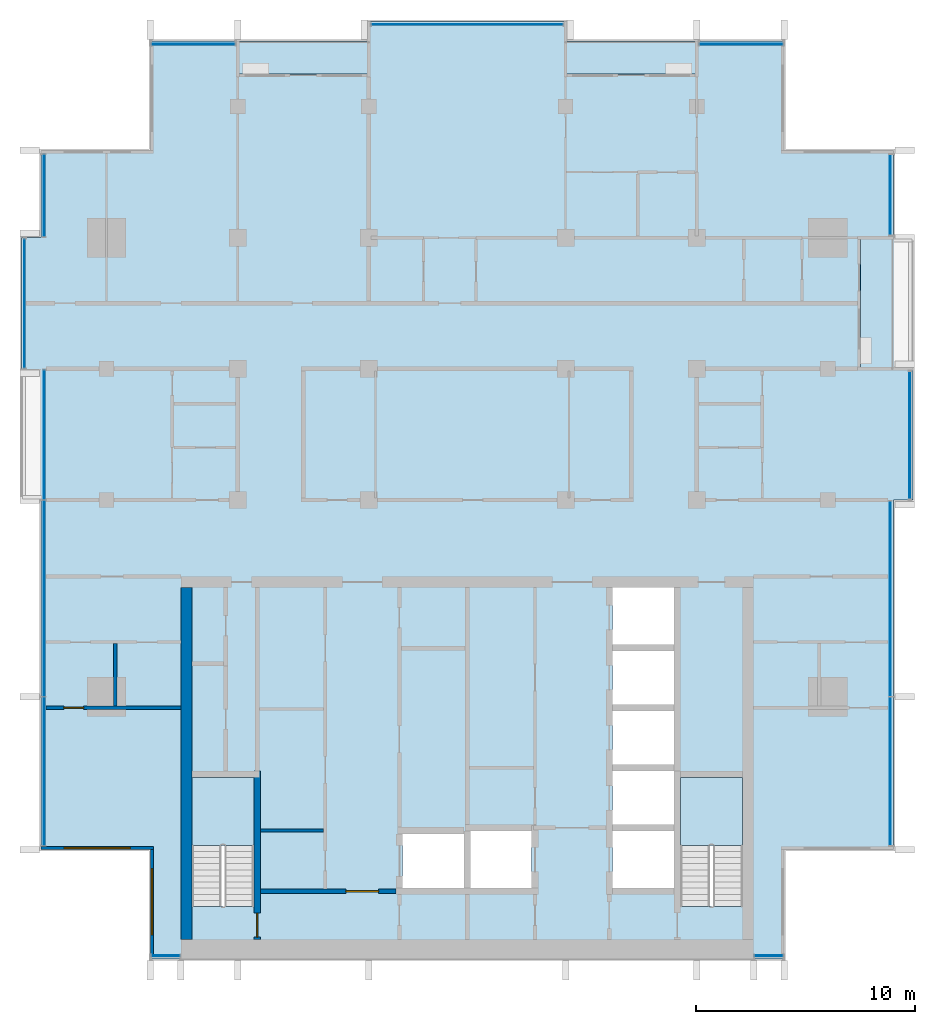
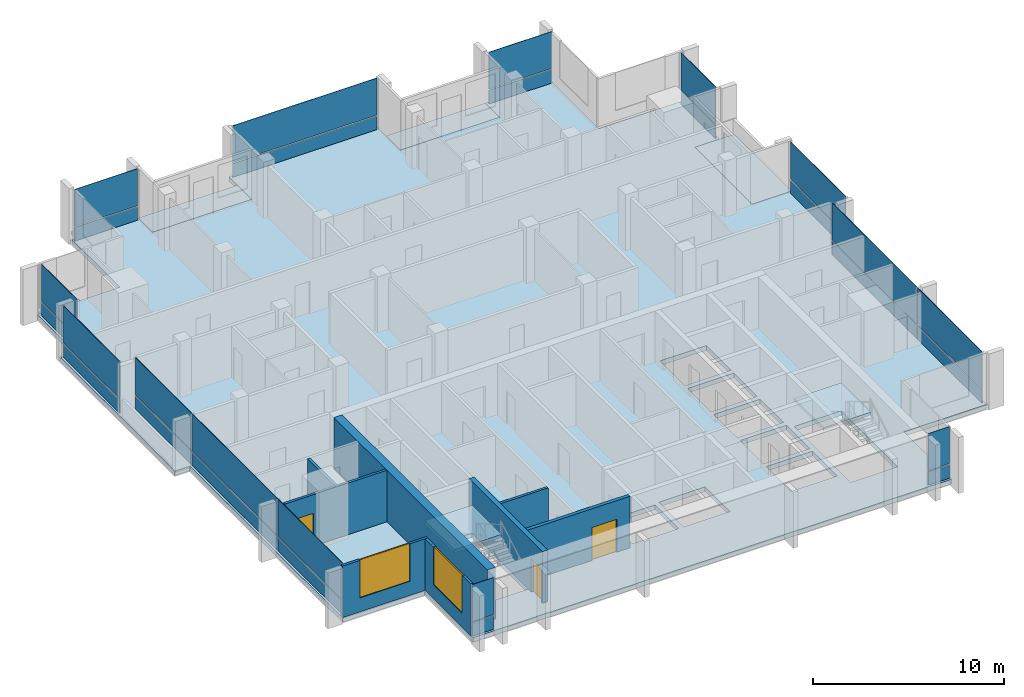
# One storey, part 6 of 16: 28 plates, 8 walls, 6 slabs, 3 doors, 2 windows, 5 openings, 13 elements without a shape of their own.
"""IFC4 building model written with IfcOpenShell, lengths in metres."""

from ifc_helpers import new_model, si_unit, direction, frame, frame_2d, origin, origin_2d, place, context, subcontext, project, spatial, polyline, rectangle, outline, extrude, material, layer, layer_set, type_object, element, fill, aggregate, save


model = new_model("IFC4")

# Units and contexts
model_context = context("Model", 3, precision=1e-05, world=origin(), true_north=direction((0.0, 1.0)))
body_context = subcontext(model_context, "Body", "Model", "MODEL_VIEW")
ifc_project = project(units=[si_unit("LENGTHUNIT", "METRE"), si_unit("AREAUNIT", "SQUARE_METRE"), si_unit("VOLUMEUNIT", "CUBIC_METRE"), si_unit("PLANEANGLEUNIT", "RADIAN"), si_unit("MASSUNIT", "GRAM", prefix="KILO")], contexts=[model_context])

# Site, building, storey
site_placement = place(None, origin())
site = spatial("IfcSite", under=ifc_project, at=site_placement, CompositionType="ELEMENT")
building_placement = place(site_placement, origin())
building = spatial("IfcBuilding", under=site, at=building_placement, Name="Finial Court Residences", CompositionType="ELEMENT")
storey_placement = place(building_placement, frame((0.0, 0.0, 259.10009765625)))
storey = spatial("IfcBuildingStorey", under=building, at=storey_placement, Name="L65", CompositionType="ELEMENT", Elevation=259.10009765625)

# Slabs
ifc_material_1 = material(Name="Concrete C35/45", Category="concrete")
ifc_layer_1 = layer(ifc_material_1, 0.199951171875)
ifc_layer_set_1 = layer_set([ifc_layer_1], Name="Balcony slab, Concrete C35/45 200")
slab_type_1 = type_object("IfcSlabType", Name="Balcony slab, Concrete C35/45 200", PredefinedType="FLOOR", material=ifc_layer_set_1)
slab_1_placement = place(storey_placement, frame((0.0, 0.0, -0.2001953125)))
element("IfcSlab", 1, at=slab_1_placement, inside=storey, type_object=slab_type_1, Name="Balcony L65-N2", PredefinedType="FLOOR", context=body_context, shape_type="SweptSolid", body=[
    extrude(outline(polyline([(-4.5, 15.0), (-4.5, 16.5), (-10.5, 16.5), (-10.5, 15.0), (-4.5, 15.0)])), origin(), (0.0, 0.0, 1.0), 0.2001953125),
])
slab_2_placement = place(storey_placement, frame((0.0, 0.0, -0.2001953125)))
element("IfcSlab", 2, at=slab_2_placement, inside=storey, type_object=slab_type_1, Name="Balcony L65-N4", PredefinedType="FLOOR", context=body_context, shape_type="SweptSolid", body=[
    extrude(outline(polyline([(10.5, 15.0), (10.5, 16.5), (4.5, 16.5), (4.5, 15.0), (10.5, 15.0)])), origin(), (0.0, 0.0, 1.0), 0.2001953125),
])
slab_3_placement = place(storey_placement, frame((0.0, 0.0, -0.2001953125)))
element("IfcSlab", 3, at=slab_3_placement, inside=storey, type_object=slab_type_1, Name="Balcony L65-E4", PredefinedType="FLOOR", context=body_context, shape_type="SweptSolid", body=[
    extrude(outline(polyline([(18.0, 7.5), (19.5, 7.5), (20.39990234375, 7.5), (20.39990234375, 1.5), (19.5, 1.5), (18.0, 1.5), (18.0, 7.5)])), origin(), (0.0, 0.0, 1.0), 0.2001953125),
])

# Curtain wall, plate
ifc_material_2 = material(Name="Bronze anodised aluminium", Category="aluminium")
curtain_wall_type = type_object("IfcCurtainWallType", Name="Unitised curtain wall, upper zones", PredefinedType="NOTDEFINED", material=ifc_material_2)
curtain_wall_1_placement = place(storey_placement, origin())
curtain_wall_1 = element("IfcCurtainWall", 4, at=curtain_wall_1_placement, inside=storey, type_object=curtain_wall_type, Name="E-L65-CW-N1", PredefinedType="NOTDEFINED")
ifc_layer_2 = layer(ifc_material_2, 0.035888671875)
ifc_layer_set_2 = layer_set([ifc_layer_2], Name="CW2 spandrel panel 36")
plate_type_1 = type_object("IfcPlateType", Name="CW2 spandrel panel 36", PredefinedType="CURTAIN_PANEL", material=ifc_layer_set_2)
plate_1_placement = place(storey_placement, frame((-12.53759765625, 16.35009765625, -0.000244140625), z_axis=(0.0, 0.0, 1.0), x_axis=(1.0, 0.0, 0.0)))
plate_1 = element("IfcPlate", 5, at=plate_1_placement, type_object=plate_type_1, Name="CW2 spandrel 1.1", PredefinedType="CURTAIN_PANEL", context=body_context, shape_type="SweptSolid", body=[
    extrude(rectangle(XDim=3.804931640625, YDim=0.035888671875, at=origin_2d()), origin(), (0.0, 0.0, 1.0), 0.8701171875),
])

curtain_wall_2_placement = place(storey_placement, origin())
curtain_wall_2 = element("IfcCurtainWall", 6, at=curtain_wall_2_placement, inside=storey, type_object=curtain_wall_type, Name="E-L65-CW-N2", PredefinedType="NOTDEFINED")
plate_2_placement = place(storey_placement, frame((0.0, 17.25, -0.000244140625), z_axis=(0.0, 0.0, 1.0), x_axis=(1.0, 0.0, 0.0)))
plate_2 = element("IfcPlate", 7, at=plate_2_placement, type_object=plate_type_1, Name="CW2 spandrel 1.1", PredefinedType="CURTAIN_PANEL", context=body_context, shape_type="SweptSolid", body=[
    extrude(rectangle(XDim=8.72998046875, YDim=0.035888671875, at=origin_2d()), origin(), (0.0, 0.0, 1.0), 0.8701171875),
])

curtain_wall_3_placement = place(storey_placement, origin())
curtain_wall_3 = element("IfcCurtainWall", 8, at=curtain_wall_3_placement, inside=storey, type_object=curtain_wall_type, Name="E-L65-CW-N3", PredefinedType="NOTDEFINED")
plate_3_placement = place(storey_placement, frame((12.53759765625, 16.35009765625, -0.000244140625), z_axis=(0.0, 0.0, 1.0), x_axis=(1.0, 0.0, 0.0)))
plate_3 = element("IfcPlate", 9, at=plate_3_placement, type_object=plate_type_1, Name="CW2 spandrel 1.1", PredefinedType="CURTAIN_PANEL", context=body_context, shape_type="SweptSolid", body=[
    extrude(rectangle(XDim=3.804931640625, YDim=0.035888671875, at=origin_2d()), origin(), (0.0, 0.0, 1.0), 0.8701171875),
])

# Curtain wall, plates
curtain_wall_4_placement = place(storey_placement, origin())
curtain_wall_4 = element("IfcCurtainWall", 10, at=curtain_wall_4_placement, inside=storey, type_object=curtain_wall_type, Name="E-L65-CW-E4", PredefinedType="NOTDEFINED")
plate_4_placement = place(storey_placement, frame((19.35009765625, -16.909912109375, -0.000244140625), z_axis=(0.0, 0.0, 1.0), x_axis=(0.0, 1.0, 0.0)))
plate_4 = element("IfcPlate", 11, at=plate_4_placement, type_object=plate_type_1, Name="CW2 spandrel 1.1", PredefinedType="CURTAIN_PANEL", context=body_context, shape_type="SweptSolid", body=[
    extrude(rectangle(XDim=6.760009765625, YDim=0.035888671875, at=origin_2d()), origin(), (0.0, 0.0, 1.0), 0.8701171875),
])
plate_5_placement = place(storey_placement, frame((19.35009765625, -9.014892578125, -0.000244140625), z_axis=(0.0, 0.0, 1.0), x_axis=(0.0, 1.0, 0.0)))
plate_5 = element("IfcPlate", 12, at=plate_5_placement, type_object=plate_type_1, Name="CW2 spandrel 2.1", PredefinedType="CURTAIN_PANEL", context=body_context, shape_type="SweptSolid", body=[
    extrude(rectangle(XDim=8.909912109375, YDim=0.035888671875, at=origin_2d()), origin(), (0.0, 0.0, 1.0), 0.8701171875),
])

# Curtain wall, plate
curtain_wall_5_placement = place(storey_placement, origin())
curtain_wall_5 = element("IfcCurtainWall", 13, at=curtain_wall_5_placement, inside=storey, type_object=curtain_wall_type, Name="E-L65-CW-E5", PredefinedType="NOTDEFINED")
plate_6_placement = place(storey_placement, frame((20.25, -1.53759765625, -0.000244140625), z_axis=(0.0, 0.0, 1.0), x_axis=(0.0, 1.0, 0.0)))
plate_6 = element("IfcPlate", 14, at=plate_6_placement, type_object=plate_type_1, Name="CW2 spandrel 1.1", PredefinedType="CURTAIN_PANEL", context=body_context, shape_type="SweptSolid", body=[
    extrude(rectangle(XDim=5.804931640625, YDim=0.035888671875, at=origin_2d()), origin(), (0.0, 0.0, 1.0), 0.8701171875),
])

curtain_wall_6_placement = place(storey_placement, origin())
curtain_wall_6 = element("IfcCurtainWall", 15, at=curtain_wall_6_placement, inside=storey, type_object=curtain_wall_type, Name="E-L65-CW-E6", PredefinedType="NOTDEFINED")
plate_7_placement = place(storey_placement, frame((19.35009765625, 9.46240234375, -0.000244140625), z_axis=(0.0, 0.0, 1.0), x_axis=(0.0, 1.0, 0.0)))
plate_7 = element("IfcPlate", 16, at=plate_7_placement, type_object=plate_type_1, Name="CW2 spandrel 1.1", PredefinedType="CURTAIN_PANEL", context=body_context, shape_type="SweptSolid", body=[
    extrude(rectangle(XDim=3.655029296875, YDim=0.035888671875, at=origin_2d()), origin(), (0.0, 0.0, 1.0), 0.8701171875),
])

curtain_wall_7_placement = place(storey_placement, origin())
curtain_wall_7 = element("IfcCurtainWall", 17, at=curtain_wall_7_placement, inside=storey, type_object=curtain_wall_type, Name="E-L65-CW-S7", PredefinedType="NOTDEFINED")
plate_8_placement = place(storey_placement, frame((-13.800048828125, -25.35009765625, -0.000244140625), z_axis=(0.0, 0.0, 1.0), x_axis=(1.0, 0.0, 0.0)))
plate_8 = element("IfcPlate", 18, at=plate_8_placement, type_object=plate_type_1, Name="CW2 spandrel 1.1", PredefinedType="CURTAIN_PANEL", context=body_context, shape_type="SweptSolid", body=[
    extrude(rectangle(XDim=1.280029296875, YDim=0.035888671875, at=origin_2d()), origin(), (0.0, 0.0, 1.0), 0.8701171875),
])

curtain_wall_8_placement = place(storey_placement, origin())
curtain_wall_8 = element("IfcCurtainWall", 19, at=curtain_wall_8_placement, inside=storey, type_object=curtain_wall_type, Name="E-L65-CW-S8", PredefinedType="NOTDEFINED")
plate_9_placement = place(storey_placement, frame((13.800048828125, -25.35009765625, -0.000244140625), z_axis=(0.0, 0.0, 1.0), x_axis=(1.0, 0.0, 0.0)))
plate_9 = element("IfcPlate", 20, at=plate_9_placement, type_object=plate_type_1, Name="CW2 spandrel 1.1", PredefinedType="CURTAIN_PANEL", context=body_context, shape_type="SweptSolid", body=[
    extrude(rectangle(XDim=1.280029296875, YDim=0.035888671875, at=origin_2d()), origin(), (0.0, 0.0, 1.0), 0.8701171875),
])

# Curtain wall, plates
curtain_wall_9_placement = place(storey_placement, origin())
curtain_wall_9 = element("IfcCurtainWall", 21, at=curtain_wall_9_placement, inside=storey, type_object=curtain_wall_type, Name="E-L65-CW-W9", PredefinedType="NOTDEFINED")
plate_10_placement = place(storey_placement, frame((-19.35009765625, -16.909912109375, -0.000244140625), z_axis=(0.0, 0.0, 1.0), x_axis=(0.0, 1.0, 0.0)))
plate_10 = element("IfcPlate", 22, at=plate_10_placement, type_object=plate_type_1, Name="CW2 spandrel 1.1", PredefinedType="CURTAIN_PANEL", context=body_context, shape_type="SweptSolid", body=[
    extrude(rectangle(XDim=6.760009765625, YDim=0.035888671875, at=origin_2d()), origin(), (0.0, 0.0, 1.0), 0.8701171875),
])
plate_11_placement = place(storey_placement, frame((-19.35009765625, -9.0, -0.000244140625), z_axis=(0.0, 0.0, 1.0), x_axis=(0.0, 1.0, 0.0)))
plate_11 = element("IfcPlate", 23, at=plate_11_placement, type_object=plate_type_1, Name="CW2 spandrel 2.1", PredefinedType="CURTAIN_PANEL", context=body_context, shape_type="SweptSolid", body=[
    extrude(rectangle(XDim=8.93994140625, YDim=0.035888671875, at=origin_2d()), origin(), (0.0, 0.0, 1.0), 0.8701171875),
])
plate_12_placement = place(storey_placement, frame((-19.35009765625, -1.514892578125, -0.000244140625), z_axis=(0.0, 0.0, 1.0), x_axis=(0.0, 1.0, 0.0)))
plate_12 = element("IfcPlate", 24, at=plate_12_placement, type_object=plate_type_1, Name="CW2 spandrel 3.1", PredefinedType="CURTAIN_PANEL", context=body_context, shape_type="SweptSolid", body=[
    extrude(rectangle(XDim=5.909912109375, YDim=0.035888671875, at=origin_2d()), origin(), (0.0, 0.0, 1.0), 0.8701171875),
])

# Curtain wall, plate
curtain_wall_10_placement = place(storey_placement, origin())
curtain_wall_10 = element("IfcCurtainWall", 25, at=curtain_wall_10_placement, inside=storey, type_object=curtain_wall_type, Name="E-L65-CW-W10", PredefinedType="NOTDEFINED")
plate_13_placement = place(storey_placement, frame((-20.25, 4.5, -0.000244140625), z_axis=(0.0, 0.0, 1.0), x_axis=(0.0, 1.0, 0.0)))
plate_13 = element("IfcPlate", 26, at=plate_13_placement, type_object=plate_type_1, Name="CW2 spandrel 1.1", PredefinedType="CURTAIN_PANEL", context=body_context, shape_type="SweptSolid", body=[
    extrude(rectangle(XDim=5.8798828125, YDim=0.035888671875, at=origin_2d()), origin(), (0.0, 0.0, 1.0), 0.8701171875),
])

curtain_wall_11_placement = place(storey_placement, origin())
curtain_wall_11 = element("IfcCurtainWall", 27, at=curtain_wall_11_placement, inside=storey, type_object=curtain_wall_type, Name="E-L65-CW-W11", PredefinedType="NOTDEFINED")
plate_14_placement = place(storey_placement, frame((-19.35009765625, 9.425048828125, -0.000244140625), z_axis=(0.0, 0.0, 1.0), x_axis=(0.0, 1.0, 0.0)))
plate_14 = element("IfcPlate", 28, at=plate_14_placement, type_object=plate_type_1, Name="CW2 spandrel 1.1", PredefinedType="CURTAIN_PANEL", context=body_context, shape_type="SweptSolid", body=[
    extrude(rectangle(XDim=3.72998046875, YDim=0.035888671875, at=origin_2d()), origin(), (0.0, 0.0, 1.0), 0.8701171875),
])

# Plate
ifc_material_3 = material(Name="Clear low-e glass", Category="glass")
ifc_layer_3 = layer(ifc_material_3, 0.030029296875)
ifc_layer_set_3 = layer_set([ifc_layer_3], Name="CW2 vision glass 30")
plate_type_2 = type_object("IfcPlateType", Name="CW2 vision glass 30", PredefinedType="CURTAIN_PANEL", material=ifc_layer_set_3)
plate_15_placement = place(storey_placement, frame((-12.53759765625, 16.35009765625, 0.929931640625), z_axis=(0.0, 0.0, 1.0), x_axis=(1.0, 0.0, 0.0)))
plate_15 = element("IfcPlate", 29, at=plate_15_placement, type_object=plate_type_2, Name="CW2 glass 1.2", PredefinedType="CURTAIN_PANEL", context=body_context, shape_type="SweptSolid", body=[
    extrude(rectangle(XDim=3.804931640625, YDim=0.030029296875, at=origin_2d()), origin(), (0.0, 0.0, 1.0), 2.3701171875),
])

aggregate(curtain_wall_1, [plate_1, plate_15])

plate_16_placement = place(storey_placement, frame((0.0, 17.25, 0.929931640625), z_axis=(0.0, 0.0, 1.0), x_axis=(1.0, 0.0, 0.0)))
plate_16 = element("IfcPlate", 30, at=plate_16_placement, type_object=plate_type_2, Name="CW2 glass 1.2", PredefinedType="CURTAIN_PANEL", context=body_context, shape_type="SweptSolid", body=[
    extrude(rectangle(XDim=8.72998046875, YDim=0.030029296875, at=origin_2d()), origin(), (0.0, 0.0, 1.0), 2.3701171875),
])

aggregate(curtain_wall_2, [plate_2, plate_16])

plate_17_placement = place(storey_placement, frame((12.53759765625, 16.35009765625, 0.929931640625), z_axis=(0.0, 0.0, 1.0), x_axis=(1.0, 0.0, 0.0)))
plate_17 = element("IfcPlate", 31, at=plate_17_placement, type_object=plate_type_2, Name="CW2 glass 1.2", PredefinedType="CURTAIN_PANEL", context=body_context, shape_type="SweptSolid", body=[
    extrude(rectangle(XDim=3.804931640625, YDim=0.030029296875, at=origin_2d()), origin(), (0.0, 0.0, 1.0), 2.3701171875),
])

aggregate(curtain_wall_3, [plate_3, plate_17])

plate_18_placement = place(storey_placement, frame((19.35009765625, -16.909912109375, 0.929931640625), z_axis=(0.0, 0.0, 1.0), x_axis=(0.0, 1.0, 0.0)))
plate_18 = element("IfcPlate", 32, at=plate_18_placement, type_object=plate_type_2, Name="CW2 glass 1.2", PredefinedType="CURTAIN_PANEL", context=body_context, shape_type="SweptSolid", body=[
    extrude(rectangle(XDim=6.760009765625, YDim=0.030029296875, at=origin_2d()), origin(), (0.0, 0.0, 1.0), 2.3701171875),
])

plate_19_placement = place(storey_placement, frame((19.35009765625, -9.014892578125, 0.929931640625), z_axis=(0.0, 0.0, 1.0), x_axis=(0.0, 1.0, 0.0)))
plate_19 = element("IfcPlate", 33, at=plate_19_placement, type_object=plate_type_2, Name="CW2 glass 2.2", PredefinedType="CURTAIN_PANEL", context=body_context, shape_type="SweptSolid", body=[
    extrude(rectangle(XDim=8.909912109375, YDim=0.030029296875, at=origin_2d()), origin(), (0.0, 0.0, 1.0), 2.3701171875),
])

aggregate(curtain_wall_4, [plate_4, plate_18, plate_5, plate_19])

plate_20_placement = place(storey_placement, frame((20.25, -1.53759765625, 0.929931640625), z_axis=(0.0, 0.0, 1.0), x_axis=(0.0, 1.0, 0.0)))
plate_20 = element("IfcPlate", 34, at=plate_20_placement, type_object=plate_type_2, Name="CW2 glass 1.2", PredefinedType="CURTAIN_PANEL", context=body_context, shape_type="SweptSolid", body=[
    extrude(rectangle(XDim=5.804931640625, YDim=0.030029296875, at=origin_2d()), origin(), (0.0, 0.0, 1.0), 2.3701171875),
])

aggregate(curtain_wall_5, [plate_6, plate_20])

plate_21_placement = place(storey_placement, frame((19.35009765625, 9.46240234375, 0.929931640625), z_axis=(0.0, 0.0, 1.0), x_axis=(0.0, 1.0, 0.0)))
plate_21 = element("IfcPlate", 35, at=plate_21_placement, type_object=plate_type_2, Name="CW2 glass 1.2", PredefinedType="CURTAIN_PANEL", context=body_context, shape_type="SweptSolid", body=[
    extrude(rectangle(XDim=3.655029296875, YDim=0.030029296875, at=origin_2d()), origin(), (0.0, 0.0, 1.0), 2.3701171875),
])

aggregate(curtain_wall_6, [plate_7, plate_21])

plate_22_placement = place(storey_placement, frame((-13.800048828125, -25.35009765625, 0.929931640625), z_axis=(0.0, 0.0, 1.0), x_axis=(1.0, 0.0, 0.0)))
plate_22 = element("IfcPlate", 36, at=plate_22_placement, type_object=plate_type_2, Name="CW2 glass 1.2", PredefinedType="CURTAIN_PANEL", context=body_context, shape_type="SweptSolid", body=[
    extrude(rectangle(XDim=1.280029296875, YDim=0.030029296875, at=origin_2d()), origin(), (0.0, 0.0, 1.0), 2.3701171875),
])

aggregate(curtain_wall_7, [plate_8, plate_22])

plate_23_placement = place(storey_placement, frame((13.800048828125, -25.35009765625, 0.929931640625), z_axis=(0.0, 0.0, 1.0), x_axis=(1.0, 0.0, 0.0)))
plate_23 = element("IfcPlate", 37, at=plate_23_placement, type_object=plate_type_2, Name="CW2 glass 1.2", PredefinedType="CURTAIN_PANEL", context=body_context, shape_type="SweptSolid", body=[
    extrude(rectangle(XDim=1.280029296875, YDim=0.030029296875, at=origin_2d()), origin(), (0.0, 0.0, 1.0), 2.3701171875),
])

aggregate(curtain_wall_8, [plate_9, plate_23])

plate_24_placement = place(storey_placement, frame((-19.35009765625, -16.909912109375, 0.929931640625), z_axis=(0.0, 0.0, 1.0), x_axis=(0.0, 1.0, 0.0)))
plate_24 = element("IfcPlate", 38, at=plate_24_placement, type_object=plate_type_2, Name="CW2 glass 1.2", PredefinedType="CURTAIN_PANEL", context=body_context, shape_type="SweptSolid", body=[
    extrude(rectangle(XDim=6.760009765625, YDim=0.030029296875, at=origin_2d()), origin(), (0.0, 0.0, 1.0), 2.3701171875),
])

plate_25_placement = place(storey_placement, frame((-19.35009765625, -9.0, 0.929931640625), z_axis=(0.0, 0.0, 1.0), x_axis=(0.0, 1.0, 0.0)))
plate_25 = element("IfcPlate", 39, at=plate_25_placement, type_object=plate_type_2, Name="CW2 glass 2.2", PredefinedType="CURTAIN_PANEL", context=body_context, shape_type="SweptSolid", body=[
    extrude(rectangle(XDim=8.93994140625, YDim=0.030029296875, at=origin_2d()), origin(), (0.0, 0.0, 1.0), 2.3701171875),
])

plate_26_placement = place(storey_placement, frame((-19.35009765625, -1.514892578125, 0.929931640625), z_axis=(0.0, 0.0, 1.0), x_axis=(0.0, 1.0, 0.0)))
plate_26 = element("IfcPlate", 40, at=plate_26_placement, type_object=plate_type_2, Name="CW2 glass 3.2", PredefinedType="CURTAIN_PANEL", context=body_context, shape_type="SweptSolid", body=[
    extrude(rectangle(XDim=5.909912109375, YDim=0.030029296875, at=origin_2d()), origin(), (0.0, 0.0, 1.0), 2.3701171875),
])

aggregate(curtain_wall_9, [plate_10, plate_24, plate_11, plate_25, plate_12, plate_26])

plate_27_placement = place(storey_placement, frame((-20.25, 4.5, 0.929931640625), z_axis=(0.0, 0.0, 1.0), x_axis=(0.0, 1.0, 0.0)))
plate_27 = element("IfcPlate", 41, at=plate_27_placement, type_object=plate_type_2, Name="CW2 glass 1.2", PredefinedType="CURTAIN_PANEL", context=body_context, shape_type="SweptSolid", body=[
    extrude(rectangle(XDim=5.8798828125, YDim=0.030029296875, at=origin_2d()), origin(), (0.0, 0.0, 1.0), 2.3701171875),
])

aggregate(curtain_wall_10, [plate_13, plate_27])

plate_28_placement = place(storey_placement, frame((-19.35009765625, 9.425048828125, 0.929931640625), z_axis=(0.0, 0.0, 1.0), x_axis=(0.0, 1.0, 0.0)))
plate_28 = element("IfcPlate", 42, at=plate_28_placement, type_object=plate_type_2, Name="CW2 glass 1.2", PredefinedType="CURTAIN_PANEL", context=body_context, shape_type="SweptSolid", body=[
    extrude(rectangle(XDim=3.72998046875, YDim=0.030029296875, at=origin_2d()), origin(), (0.0, 0.0, 1.0), 2.3701171875),
])

aggregate(curtain_wall_11, [plate_14, plate_28])

# Stair, slab
ifc_material_4 = material(Name="Concrete C50/60", Category="concrete")
stair_type = type_object("IfcStairType", Name="Exit stair 22 risers of 163.6 mm", PredefinedType="HALF_TURN_STAIR", material=ifc_material_4)
stair_1_placement = place(storey_placement, origin())
stair_1 = element("IfcStair", 43, at=stair_1_placement, inside=storey, type_object=stair_type, Name="L65 Exit stair ST-1", PredefinedType="HALF_TURN_STAIR")
ifc_layer_4 = layer(ifc_material_4, 0.199951171875)
ifc_layer_set_4 = layer_set([ifc_layer_4], Name="Exit stair landing")
slab_type_2 = type_object("IfcSlabType", Name="Exit stair landing", PredefinedType="LANDING", material=ifc_layer_set_4)
slab_4_placement = place(storey_placement, frame((0.0, 0.0, 1.599853515625)))
slab_4 = element("IfcSlab", 44, at=slab_4_placement, type_object=slab_type_2, Name="ST-1 landing 1", PredefinedType="LANDING", context=body_context, shape_type="SweptSolid", body=[
    extrude(outline(polyline([(-9.75, -20.300048828125), (-9.75, -17.199951171875), (-12.60009765625, -17.199951171875), (-12.60009765625, -20.300048828125), (-9.75, -20.300048828125)])), origin(), (0.0, 0.0, 1.0), 0.199951171875),
])
aggregate(stair_1, [slab_4])

stair_2_placement = place(storey_placement, origin())
stair_2 = element("IfcStair", 45, at=stair_2_placement, inside=storey, type_object=stair_type, Name="L65 Exit stair ST-2", PredefinedType="HALF_TURN_STAIR")
slab_5_placement = place(storey_placement, frame((0.0, 0.0, 1.599853515625)))
slab_5 = element("IfcSlab", 46, at=slab_5_placement, type_object=slab_type_2, Name="ST-2 landing 1", PredefinedType="LANDING", context=body_context, shape_type="SweptSolid", body=[
    extrude(outline(polyline([(12.60009765625, -20.300048828125), (12.60009765625, -17.199951171875), (9.75, -17.199951171875), (9.75, -20.300048828125), (12.60009765625, -20.300048828125)])), origin(), (0.0, 0.0, 1.0), 0.199951171875),
])
aggregate(stair_2, [slab_5])

# Slab
ifc_material_5 = material(Name="Concrete C40/50", Category="concrete")
ifc_layer_5 = layer(ifc_material_5, 0.300048828125)
ifc_layer_set_5 = layer_set([ifc_layer_5], Name="Flat plate slab 300 Concrete C40/50")
slab_type_3 = type_object("IfcSlabType", Name="Flat plate slab 300 Concrete C40/50", PredefinedType="FLOOR", material=ifc_layer_set_5)
slab_6_placement = place(storey_placement, frame((0.0, 0.0, -0.300048828125)))
element("IfcSlab", 47, at=slab_6_placement, inside=storey, type_object=slab_type_3, Name="S:SLAB:L65", PredefinedType="FLOOR", context=body_context, shape_type="SweptSolid", body=[
    extrude(outline(polyline([(-20.39990234375, 7.5), (-19.5, 7.5), (-19.5, 11.5), (-14.5, 11.5), (-14.5, 16.5), (-10.5, 16.5), (-10.5, 15.0), (-4.5, 15.0), (-4.5, 16.5), (-4.5, 17.39990234375), (4.5, 17.39990234375), (4.5, 16.5), (4.5, 15.0), (10.5, 15.0), (10.5, 16.5), (14.5, 16.5), (14.5, 11.5), (19.5, 11.5), (19.5, 7.5), (18.0, 7.5), (18.0, 1.5), (19.5, 1.5), (20.39990234375, 1.5), (20.39990234375, -4.5), (19.5, -4.5), (19.5, -20.5), (14.5, -20.5), (14.5, -25.5), (-14.5, -25.5), (-14.5, -20.5), (-19.5, -20.5), (-19.5, -4.5), (-20.39990234375, -4.5), (-20.39990234375, 1.5), (-20.39990234375, 7.5)]), holes=[polyline([(-0.14990234375, -19.77001953125), (-2.949951171875, -19.77001953125), (-2.949951171875, -22.25), (-0.14990234375, -22.25), (-0.14990234375, -19.77001953125)]), polyline([(2.949951171875, -19.64990234375), (0.14990234375, -19.64990234375), (0.14990234375, -22.25), (2.949951171875, -22.25), (2.949951171875, -19.64990234375)]), polyline([(9.449951171875, -19.64990234375), (6.64990234375, -19.64990234375), (6.64990234375, -22.25), (9.449951171875, -22.25), (9.449951171875, -19.64990234375)]), polyline([(-12.60009765625, -17.199951171875), (-12.60009765625, -23.09912109375), (-9.75, -23.09912109375), (-9.75, -17.199951171875), (-12.60009765625, -17.199951171875)]), polyline([(9.75, -17.199951171875), (9.75, -23.09912109375), (12.60009765625, -23.09912109375), (12.60009765625, -17.199951171875), (9.75, -17.199951171875)]), polyline([(9.449951171875, -16.89990234375), (6.64990234375, -16.89990234375), (6.64990234375, -19.35009765625), (9.449951171875, -19.35009765625), (9.449951171875, -16.89990234375)]), polyline([(9.449951171875, -14.14990234375), (6.64990234375, -14.14990234375), (6.64990234375, -16.60009765625), (9.449951171875, -16.60009765625), (9.449951171875, -14.14990234375)]), polyline([(9.449951171875, -13.85009765625), (9.449951171875, -11.39990234375), (6.64990234375, -11.39990234375), (6.64990234375, -13.85009765625), (9.449951171875, -13.85009765625)]), polyline([(9.449951171875, -11.10009765625), (9.449951171875, -8.5), (6.64990234375, -8.5), (6.64990234375, -11.10009765625), (9.449951171875, -11.10009765625)])]), origin(), (0.0, 0.0, 1.0), 0.300048828125),
])

# Walls
ifc_layer_6 = layer(ifc_material_4, 0.5)
ifc_layer_set_6 = layer_set([ifc_layer_6], Name="Core outer wall 500 Concrete C50/60")
wall_type_1 = type_object("IfcWallType", Name="Core outer wall 500 Concrete C50/60", PredefinedType="SHEAR", material=ifc_layer_set_6)
wall_1_placement = place(storey_placement, frame((-12.85009765625, -24.60009765625, 0.0), z_axis=(0.0, 0.0, 1.0), x_axis=(0.0, 1.0, 0.0)))
element("IfcWall", 48, at=wall_1_placement, inside=storey, type_object=wall_type_1, Name="Core outer wall L65-03", PredefinedType="SHEAR", context=body_context, shape_type="SweptSolid", body=[
    extrude(rectangle(XDim=16.10009765625, YDim=0.5, at=frame_2d((8.050048828125, 0.0))), origin(), (0.0, 0.0, 1.0), 3.2998046875),
])
ifc_material_6 = material(Name="Fire-rated gypsum board partition")
ifc_layer_7 = layer(ifc_material_6, 0.14990234375)
ifc_layer_set_7 = layer_set([ifc_layer_7], Name="Core room partition 150 EI 60")
wall_type_2 = type_object("IfcWallType", Name="Core room partition 150 EI 60", PredefinedType="PARTITIONING", material=ifc_layer_set_7)
wall_2_placement = place(storey_placement, frame((-9.449951171875, -19.6201171875, 0.0), z_axis=(0.0, 0.0, 1.0), x_axis=(1.0, 0.0, 0.0)))
element("IfcWall", 49, at=wall_2_placement, inside=storey, type_object=wall_type_2, Name="Core partition L65-04", PredefinedType="PARTITIONING", context=body_context, shape_type="SweptSolid", body=[
    extrude(rectangle(XDim=2.875, YDim=0.14990234375, at=frame_2d((1.4375, 0.0))), origin(), (0.0, 0.0, 1.0), 3.2998046875),
])

# Wall, opening, door
ifc_material_7 = material(Name="Moisture-resistant gypsum board")
ifc_layer_8 = layer(ifc_material_7, 0.012451171875)
ifc_material_8 = material(Name="Mineral wool in light-gauge frame")
ifc_layer_9 = layer(ifc_material_8, 0.125)
ifc_layer_10 = layer(ifc_material_7, 0.012451171875)
ifc_layer_set_8 = layer_set([ifc_layer_8, ifc_layer_9, ifc_layer_10], Name="Gypsum board wet-area partition 150")
wall_type_3 = type_object("IfcWallType", Name="Gypsum board wet-area partition 150", PredefinedType="PARTITIONING", material=ifc_layer_set_8)
wall_3_placement = place(storey_placement, frame((-19.262451171875, -14.0, 0.0), z_axis=(0.0, 0.0, 1.0), x_axis=(1.0, 0.0, 0.0)))
wall_3 = element("IfcWall", 50, at=wall_3_placement, inside=storey, type_object=wall_type_3, Name="Partition L65-000", PredefinedType="PARTITIONING", context=body_context, shape_type="SweptSolid", body=[
    extrude(rectangle(XDim=6.162353515625, YDim=0.14990234375, at=frame_2d((3.0810546875, 0.0))), origin(), (0.0, 0.0, 1.0), 3.2998046875),
])
opening_1_placement = place(wall_3_placement, frame((0.81201171875, 0.0, 0.0)))
opening_1 = element("IfcOpeningElement", 51, at=opening_1_placement, cuts=wall_3, Name="Opening L65-D001", PredefinedType="OPENING", context=body_context, shape_type="SweptSolid", body=[
    extrude(rectangle(XDim=0.89990234375, YDim=2.10009765625, at=frame_2d((0.449951171875, 1.050048828125))), frame((0.0, 0.0849609375, 0.0), z_axis=(0.0, -1.0, 0.0), x_axis=(1.0, 0.0, 0.0)), (0.0, 0.0, 1.0), 0.169921875),
])
ifc_material_9 = material(Name="Timber door leaf in timber frame", Category="wood")
door_type_1 = type_object("IfcDoorType", Name="Door set 900 x 2100", OperationType="SINGLE_SWING_LEFT", PredefinedType="DOOR", material=ifc_material_9)
door_1_placement = place(opening_1_placement, origin())
door_1 = element("IfcDoor", 52, at=door_1_placement, inside=storey, type_object=door_type_1, Name="Door L65-D001", OperationType="SINGLE_SWING_LEFT", OverallHeight=2.10009765625, OverallWidth=0.89990234375, PredefinedType="DOOR", context=body_context, shape_type="SweptSolid", body=[
    extrude(rectangle(XDim=0.89990234375, YDim=2.10009765625, at=frame_2d((0.449951171875, 1.050048828125))), frame((0.0, 0.02490234375, 0.0), z_axis=(0.0, -1.0, 0.0), x_axis=(1.0, 0.0, 0.0)), (0.0, 0.0, 1.0), 0.050048828125),
])
fill(opening_1, door_1)

# Wall
wall_4_placement = place(storey_placement, frame((-16.10009765625, -13.925048828125, 0.0), z_axis=(0.0, 0.0, 1.0), x_axis=(0.0, 1.0, 0.0)))
element("IfcWall", 53, at=wall_4_placement, inside=storey, type_object=wall_type_3, Name="Partition L65-024", PredefinedType="PARTITIONING", context=body_context, shape_type="SweptSolid", body=[
    extrude(rectangle(XDim=2.85009765625, YDim=0.14990234375, at=frame_2d((1.425048828125, 0.0))), origin(), (0.0, 0.0, 1.0), 3.2998046875),
])

# Wall, opening, door
ifc_layer_11 = layer(ifc_material_4, 0.300048828125)
ifc_layer_set_9 = layer_set([ifc_layer_11], Name="Lift shaft and stair wall 300 Concrete C50/60")
wall_type_4 = type_object("IfcWallType", Name="Lift shaft and stair wall 300 Concrete C50/60", PredefinedType="SHEAR", material=ifc_layer_set_9)
wall_5_placement = place(storey_placement, frame((-9.60009765625, -24.60009765625, 0.0), z_axis=(0.0, 0.0, 1.0), x_axis=(0.0, 1.0, 0.0)))
wall_5 = element("IfcWall", 54, at=wall_5_placement, inside=storey, type_object=wall_type_4, Name="Core wall L65-20", PredefinedType="SHEAR", context=body_context, shape_type="SweptSolid", body=[
    extrude(rectangle(XDim=7.7001953125, YDim=0.300048828125, at=frame_2d((3.85009765625, 0.0))), origin(), (0.0, 0.0, 1.0), 3.2998046875),
])
opening_2_placement = place(wall_5_placement, frame((0.10009765625, 0.0, 0.0)))
opening_2 = element("IfcOpeningElement", 55, at=opening_2_placement, cuts=wall_5, Name="Opening L65-C19", PredefinedType="OPENING", context=body_context, shape_type="SweptSolid", body=[
    extrude(rectangle(XDim=1.10009765625, YDim=2.10009765625, at=frame_2d((0.550048828125, 1.050048828125))), frame((0.0, 0.159912109375, 0.0), z_axis=(0.0, -1.0, 0.0), x_axis=(1.0, 0.0, 0.0)), (0.0, 0.0, 1.0), 0.320068359375),
])
ifc_material_10 = material(Name="Steel fire door", Category="steel")
door_type_2 = type_object("IfcDoorType", Name="Stair door 1100 x 2100 EI 90", OperationType="NOTDEFINED", PredefinedType="DOOR", material=ifc_material_10)
door_2_placement = place(opening_2_placement, origin())
door_2 = element("IfcDoor", 56, at=door_2_placement, inside=storey, type_object=door_type_2, Name="Stair door L65-C19", OperationType="SINGLE_SWING_LEFT", OverallHeight=2.10009765625, OverallWidth=1.10009765625, PredefinedType="DOOR", context=body_context, shape_type="SweptSolid", body=[
    extrude(rectangle(XDim=1.10009765625, YDim=2.10009765625, at=frame_2d((0.550048828125, 1.050048828125))), frame((0.0, 0.02490234375, 0.0), z_axis=(0.0, -1.0, 0.0), x_axis=(1.0, 0.0, 0.0)), (0.0, 0.0, 1.0), 0.050048828125),
])
fill(opening_2, door_2)

# Wall, opening, window
ifc_material_11 = material(Name="Natural limestone", Category="masonry")
ifc_layer_12 = layer(ifc_material_11, 0.14990234375)
ifc_layer_set_10 = layer_set([ifc_layer_12], Name="Limestone clad wall 150")
wall_type_5 = type_object("IfcWallType", Name="Limestone clad wall 150", PredefinedType="SOLIDWALL", material=ifc_layer_set_10)
wall_6_placement = place(storey_placement, frame((-14.425048828125, -25.262451171875, 0.0), z_axis=(0.0, 0.0, 1.0), x_axis=(0.0, 1.0, 0.0)))
wall_6 = element("IfcWall", 57, at=wall_6_placement, inside=storey, type_object=wall_type_5, Name="E-L65-NWW12", PredefinedType="SOLIDWALL", context=body_context, shape_type="SweptSolid", body=[
    extrude(rectangle(XDim=4.762451171875, YDim=0.14990234375, at=frame_2d((2.38134765625, 0.0))), origin(), (0.0, 0.0, 1.0), 3.2998046875),
])
opening_3_placement = place(wall_6_placement, frame((0.881103515625, 0.0, 0.89990234375)))
opening_3 = element("IfcOpeningElement", 58, at=opening_3_placement, cuts=wall_6, Name="Opening WE65-01", PredefinedType="OPENING", context=body_context, shape_type="SweptSolid", body=[
    extrude(rectangle(XDim=3.0, YDim=2.39990234375, at=frame_2d((1.5, 1.199951171875))), frame((0.0, 0.0849609375, 0.0), z_axis=(0.0, -1.0, 0.0), x_axis=(1.0, 0.0, 0.0)), (0.0, 0.0, 1.0), 0.169921875),
])
window_type = type_object("IfcWindowType", Name="Corner window 3000 x 2400", PartitioningType="SINGLE_PANEL", PredefinedType="WINDOW", material=ifc_material_3)
window_1_placement = place(opening_3_placement, origin())
window_1 = element("IfcWindow", 59, at=window_1_placement, inside=storey, type_object=window_type, Name="E-L65-NWW12-W1", OverallHeight=2.39990234375, OverallWidth=3.0, PartitioningType="SINGLE_PANEL", PredefinedType="WINDOW", context=body_context, shape_type="SweptSolid", body=[
    extrude(rectangle(XDim=3.0, YDim=2.39990234375, at=frame_2d((1.5, 1.199951171875))), frame((0.0, 0.030029296875, 0.0), z_axis=(0.0, -1.0, 0.0), x_axis=(1.0, 0.0, 0.0)), (0.0, 0.0, 1.0), 0.06005859375),
])
fill(opening_3, window_1)

wall_7_placement = place(storey_placement, frame((-14.35009765625, -20.425048828125, 0.0), z_axis=(0.0, 0.0, 1.0), x_axis=(-1.0, 0.0, 0.0)))
wall_7 = element("IfcWall", 60, at=wall_7_placement, inside=storey, type_object=wall_type_5, Name="E-L65-NWS13", PredefinedType="SOLIDWALL", context=body_context, shape_type="SweptSolid", body=[
    extrude(rectangle(XDim=5.14990234375, YDim=0.14990234375, at=frame_2d((2.574951171875, 0.0))), origin(), (0.0, 0.0, 1.0), 3.2998046875),
])
opening_4_placement = place(wall_7_placement, frame((1.074951171875, 0.0, 0.89990234375)))
opening_4 = element("IfcOpeningElement", 61, at=opening_4_placement, cuts=wall_7, Name="Opening WE65-02", PredefinedType="OPENING", context=body_context, shape_type="SweptSolid", body=[
    extrude(rectangle(XDim=3.0, YDim=2.39990234375, at=frame_2d((1.5, 1.199951171875))), frame((0.0, 0.0849609375, 0.0), z_axis=(0.0, -1.0, 0.0), x_axis=(1.0, 0.0, 0.0)), (0.0, 0.0, 1.0), 0.169921875),
])
window_2_placement = place(opening_4_placement, origin())
window_2 = element("IfcWindow", 62, at=window_2_placement, inside=storey, type_object=window_type, Name="E-L65-NWS13-W1", OverallHeight=2.39990234375, OverallWidth=3.0, PartitioningType="SINGLE_PANEL", PredefinedType="WINDOW", context=body_context, shape_type="SweptSolid", body=[
    extrude(rectangle(XDim=3.0, YDim=2.39990234375, at=frame_2d((1.5, 1.199951171875))), frame((0.0, 0.030029296875, 0.0), z_axis=(0.0, -1.0, 0.0), x_axis=(1.0, 0.0, 0.0)), (0.0, 0.0, 1.0), 0.06005859375),
])
fill(opening_4, window_2)

# Wall, opening, door
ifc_layer_13 = layer(ifc_material_6, 0.199951171875)
ifc_layer_set_11 = layer_set([ifc_layer_13], Name="Stair passage wall 200 EI 180")
wall_type_6 = type_object("IfcWallType", Name="Stair passage wall 200 EI 180", PredefinedType="PARTITIONING", material=ifc_layer_set_11)
wall_8_placement = place(storey_placement, frame((-3.25, -22.39990234375, 0.0), z_axis=(0.0, 0.0, 1.0), x_axis=(-1.0, 0.0, 0.0)))
wall_8 = element("IfcWall", 63, at=wall_8_placement, inside=storey, type_object=wall_type_6, Name="Core partition L65-01", PredefinedType="PARTITIONING", context=body_context, shape_type="SweptSolid", body=[
    extrude(rectangle(XDim=6.199951171875, YDim=0.199951171875, at=frame_2d((3.10009765625, 0.0))), origin(), (0.0, 0.0, 1.0), 3.2998046875),
])
opening_5_placement = place(wall_8_placement, frame((0.800048828125, 0.0, 0.0)))
opening_5 = element("IfcOpeningElement", 64, at=opening_5_placement, cuts=wall_8, Name="Opening L65-C03", PredefinedType="OPENING", context=body_context, shape_type="SweptSolid", body=[
    extrude(rectangle(XDim=1.5, YDim=2.10009765625, at=frame_2d((0.75, 1.050048828125))), frame((0.0, 0.10986328125, 0.0), z_axis=(0.0, -1.0, 0.0), x_axis=(1.0, 0.0, 0.0)), (0.0, 0.0, 1.0), 0.219970703125),
])
door_type_3 = type_object("IfcDoorType", Name="Lift lobby door 1500 x 2100 EI 60", OperationType="DOUBLE_DOOR_SINGLE_SWING", PredefinedType="DOOR", material=ifc_material_10)
door_3_placement = place(opening_5_placement, origin())
door_3 = element("IfcDoor", 65, at=door_3_placement, inside=storey, type_object=door_type_3, Name="Lift lobby door L65-C03", OperationType="DOUBLE_DOOR_SINGLE_SWING", OverallHeight=2.10009765625, OverallWidth=1.5, PredefinedType="DOOR", context=body_context, shape_type="SweptSolid", body=[
    extrude(rectangle(XDim=1.5, YDim=2.10009765625, at=frame_2d((0.75, 1.050048828125))), frame((0.0, 0.02490234375, 0.0), z_axis=(0.0, -1.0, 0.0), x_axis=(1.0, 0.0, 0.0)), (0.0, 0.0, 1.0), 0.050048828125),
])
fill(opening_5, door_3)

save(model, "model.ifc")
